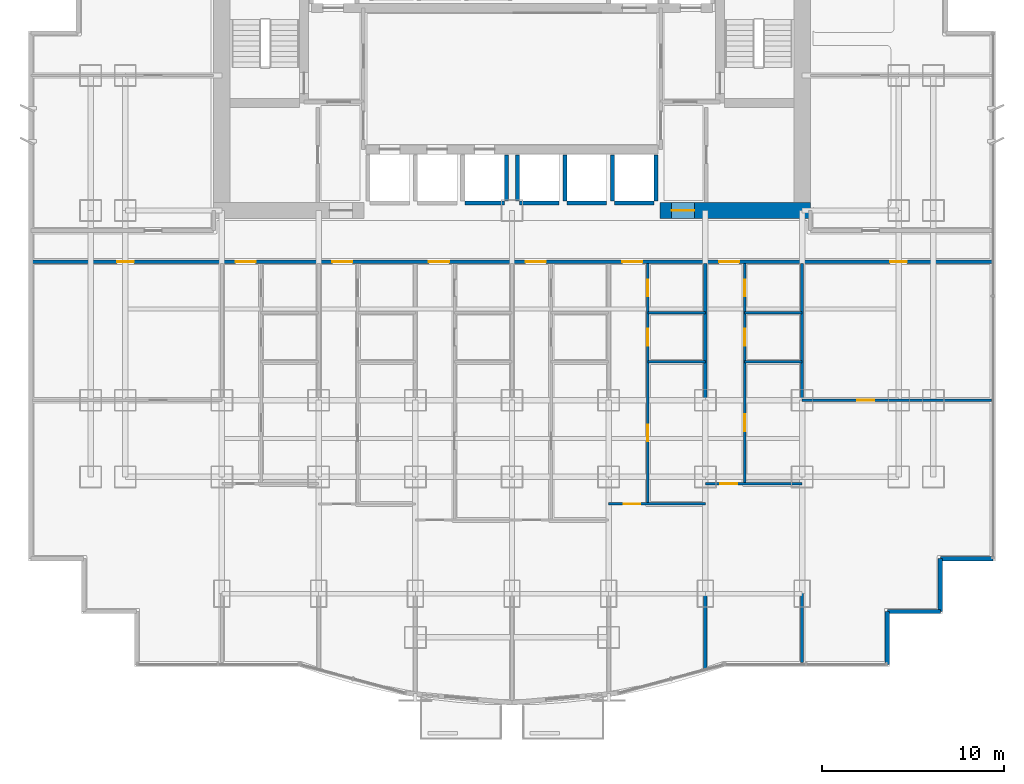
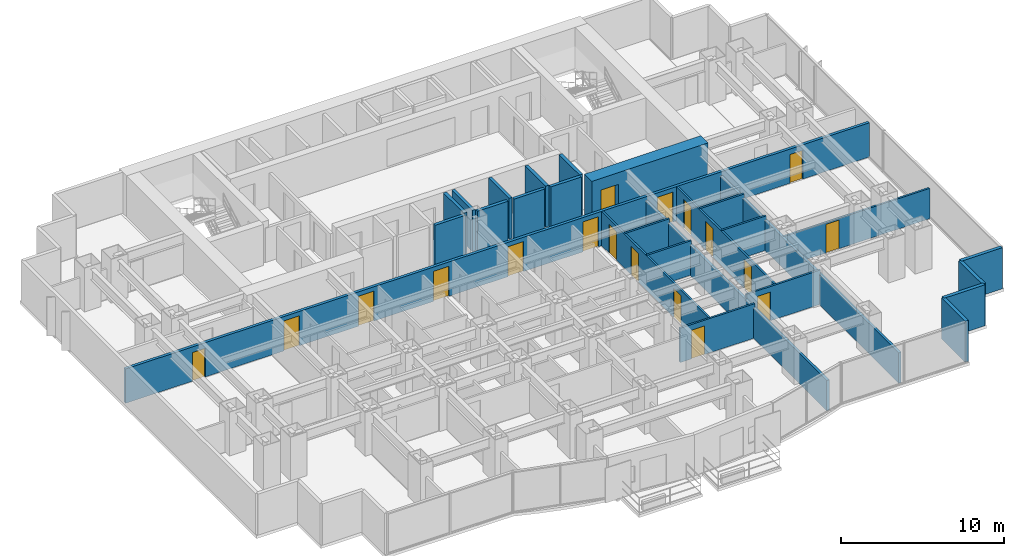
# One storey, part 8 of 12: 26 walls, 18 doors, 18 openings.
"""IFC4 building model written with IfcOpenShell, lengths in metres."""

from ifc_helpers import new_model, si_unit, direction, frame, frame_2d, origin, place, context, subcontext, project, spatial, rectangle, extrude, material, layer, layer_set, type_object, element, fill, save


model = new_model("IFC4")

# Units and contexts
model_context = context("Model", 3, precision=1e-05, world=origin(), true_north=direction((0.0, 1.0)))
body_context = subcontext(model_context, "Body", "Model", "MODEL_VIEW")
ifc_project = project(units=[si_unit("LENGTHUNIT", "METRE"), si_unit("AREAUNIT", "SQUARE_METRE"), si_unit("VOLUMEUNIT", "CUBIC_METRE"), si_unit("PLANEANGLEUNIT", "RADIAN"), si_unit("MASSUNIT", "GRAM", prefix="KILO")], contexts=[model_context])

# Site, building, storey
site_placement = place(None, origin())
site = spatial("IfcSite", under=ifc_project, at=site_placement, CompositionType="ELEMENT")
building_placement = place(site_placement, origin())
building = spatial("IfcBuilding", under=site, at=building_placement, Name="Qianlan Lanfeng Residences", CompositionType="ELEMENT")
storey_placement = place(building_placement, frame((0.0, 0.0, 27.5)))
storey = spatial("IfcBuildingStorey", under=building, at=storey_placement, Name="L06", CompositionType="ELEMENT", Elevation=27.5)

# Wall, opening, door
ifc_material_1 = material(Name="Concrete C70", Category="concrete")
ifc_layer_1 = layer(ifc_material_1, 0.89990234375)
ifc_layer_set_1 = layer_set([ifc_layer_1], Name="Concrete C70")
wall_type_1 = type_object("IfcWallType", Name="CW-RC-900", PredefinedType="SHEAR", material=ifc_layer_set_1)
wall_1_placement = place(storey_placement, frame((34.60009765625, 25.199951171875, 0.0), z_axis=(0.0, 0.0, 1.0), x_axis=(1.0, 0.0, 0.0)))
wall_1 = element("IfcWall", 1, at=wall_1_placement, inside=storey, type_object=wall_type_1, Name="L06 Core Shear Wall SE", PredefinedType="SHEAR", context=body_context, shape_type="SweptSolid", body=[
    extrude(rectangle(XDim=8.25, YDim=0.89990234375, at=frame_2d((4.125, 0.0))), origin(), (0.0, 0.0, 1.0), 3.080078125),
])
opening_1_placement = place(wall_1_placement, frame((0.64990234375, 0.0, 0.0)))
opening_1 = element("IfcOpeningElement", 2, at=opening_1_placement, cuts=wall_1, Name="Opening L06-D02", PredefinedType="OPENING", context=body_context, shape_type="SweptSolid", body=[
    extrude(rectangle(XDim=1.25, YDim=2.199951171875, at=frame_2d((0.625, 1.10009765625))), frame((0.0, 0.4599609375, 0.0), z_axis=(0.0, -1.0, 0.0), x_axis=(1.0, 0.0, 0.0)), (0.0, 0.0, 1.0), 0.919921875),
])
ifc_material_2 = material(Name="Painted Galvanised Steel Fire Door", Category="steel")
door_type_1 = type_object("IfcDoorType", Name="DT-FFL", OperationType="NOTDEFINED", PredefinedType="DOOR", material=ifc_material_2)
door_1_placement = place(opening_1_placement, frame((1.25, 0.0, 0.0), z_axis=(0.0, 0.0, 1.0), x_axis=(-1.0, 0.0, 0.0)))
door_1 = element("IfcDoor", 3, at=door_1_placement, inside=storey, type_object=door_type_1, Name="L06 East Core Lobby Smoke Door L06-D02 (DT-FFL)", OperationType="SINGLE_SWING_LEFT", OverallHeight=2.199951171875, OverallWidth=1.25, PredefinedType="DOOR", context=body_context, shape_type="SweptSolid", body=[
    extrude(rectangle(XDim=1.25, YDim=2.199951171875, at=frame_2d((0.625, 1.10009765625))), frame((0.0, 0.02490234375, 0.0), z_axis=(0.0, -1.0, 0.0), x_axis=(1.0, 0.0, 0.0)), (0.0, 0.0, 1.0), 0.050048828125),
])
fill(opening_1, door_1)

# Walls
ifc_material_3 = material(Name="Concrete C42", Category="concrete")
ifc_layer_2 = layer(ifc_material_3, 0.239990234375)
ifc_layer_set_2 = layer_set([ifc_layer_2], Name="Concrete C42")
wall_type_2 = type_object("IfcWallType", Name="EW-240", PredefinedType="SOLIDWALL", material=ifc_layer_set_2)
for number, where, z_axis, x_axis, name in (
    (4, (47.080078125, 0.320068359375, 0.0), (0.0, 0.0, 1.0), (0.0, 1.0, 0.0), "L06 Exterior Facade Spandrel Wall 7"),
    (5, (47.080078125, 3.219970703125, 0.0), (0.0, 0.0, 1.0), (1.0, 0.0, 0.0), "L06 Exterior Facade Spandrel Wall 8"),
):
    element("IfcWall", number, at=place(storey_placement, frame(where, z_axis=z_axis, x_axis=x_axis)), inside=storey, type_object=wall_type_2, Name=name, PredefinedType="SOLIDWALL", context=body_context, shape_type="SweptSolid", body=[
        extrude(rectangle(XDim=2.89990234375, YDim=0.239990234375, at=frame_2d((1.449951171875, 0.0))), origin(), (0.0, 0.0, 1.0), 3.080078125),
    ])
wall_2_placement = place(storey_placement, frame((49.97998046875, 3.219970703125, 0.0), z_axis=(0.0, 0.0, 1.0), x_axis=(0.0, 1.0, 0.0)))
element("IfcWall", 6, at=wall_2_placement, inside=storey, type_object=wall_type_2, Name="L06 Exterior Facade Spandrel Wall 9", PredefinedType="SOLIDWALL", context=body_context, shape_type="SweptSolid", body=[
    extrude(rectangle(XDim=2.900146484375, YDim=0.239990234375, at=frame_2d((1.4501953125, 0.0))), origin(), (0.0, 0.0, 1.0), 3.080078125),
])
wall_3_placement = place(storey_placement, frame((49.97998046875, 6.1201171875, 0.0), z_axis=(0.0, 0.0, 1.0), x_axis=(1.0, 0.0, 0.0)))
element("IfcWall", 7, at=wall_3_placement, inside=storey, type_object=wall_type_2, Name="L06 Exterior Facade Spandrel Wall 10", PredefinedType="SOLIDWALL", context=body_context, shape_type="SweptSolid", body=[
    extrude(rectangle(XDim=2.89990234375, YDim=0.239990234375, at=frame_2d((1.449951171875, 0.0))), origin(), (0.0, 0.0, 1.0), 3.080078125),
])

# Wall, opening, door
ifc_material_4 = material(Name="Moisture-Resistant Gypsum Partition 135 mm")
ifc_layer_3 = layer(ifc_material_4, 0.135009765625)
ifc_layer_set_3 = layer_set([ifc_layer_3], Name="Moisture-Resistant Gypsum Partition 135 mm")
wall_type_3 = type_object("IfcWallType", Name="PW-135", PredefinedType="PARTITIONING", material=ifc_layer_set_3)
wall_4_placement = place(storey_placement, frame((31.800048828125, 9.113037109375, 0.0), z_axis=(0.0, 0.0, 1.0), x_axis=(1.0, 0.0, 0.0)))
wall_4 = element("IfcWall", 8, at=wall_4_placement, inside=storey, type_object=wall_type_3, Name="L06 U05 Living Divider", PredefinedType="PARTITIONING", context=body_context, shape_type="SweptSolid", body=[
    extrude(rectangle(XDim=5.300048828125, YDim=0.135009765625, at=frame_2d((2.64990234375, 0.0))), origin(), (0.0, 0.0, 1.0), 2.570068359375),
])
opening_2_placement = place(wall_4_placement, frame((0.81494140625, 0.0, 0.0)))
opening_2 = element("IfcOpeningElement", 9, at=opening_2_placement, cuts=wall_4, Name="Opening L06-D34", PredefinedType="OPENING", context=body_context, shape_type="SweptSolid", body=[
    extrude(rectangle(XDim=0.919921875, YDim=2.14990234375, at=frame_2d((0.4599609375, 1.074951171875))), frame((0.0, 0.07763671875, 0.0), z_axis=(0.0, -1.0, 0.0), x_axis=(1.0, 0.0, 0.0)), (0.0, 0.0, 1.0), 0.155029296875),
])
ifc_material_5 = material(Name="Glazed Timber Kitchen/Study Door", Category="wood")
door_type_2 = type_object("IfcDoorType", Name="DT-INT", OperationType="NOTDEFINED", PredefinedType="DOOR", material=ifc_material_5)
door_2_placement = place(opening_2_placement, origin())
door_2 = element("IfcDoor", 10, at=door_2_placement, inside=storey, type_object=door_type_2, Name="L06 U05 Living Passage Door L06-D34 (DT-INT)", OperationType="SINGLE_SWING_LEFT", OverallHeight=2.14990234375, OverallWidth=0.919921875, PredefinedType="DOOR", context=body_context, shape_type="SweptSolid", body=[
    extrude(rectangle(XDim=0.919921875, YDim=2.14990234375, at=frame_2d((0.4599609375, 1.074951171875))), frame((0.0, 0.02490234375, 0.0), z_axis=(0.0, -1.0, 0.0), x_axis=(1.0, 0.0, 0.0)), (0.0, 0.0, 1.0), 0.050048828125),
])
fill(opening_2, door_2)

# Wall, openings, doors
wall_5_placement = place(storey_placement, frame((33.949951171875, 9.113037109375, 0.0), z_axis=(0.0, 0.0, 1.0), x_axis=(0.0, 1.0, 0.0)))
wall_5 = element("IfcWall", 11, at=wall_5_placement, inside=storey, type_object=wall_type_3, Name="L06 U05 Entry Hall Spine", PredefinedType="PARTITIONING", context=body_context, shape_type="SweptSolid", body=[
    extrude(rectangle(XDim=13.18701171875, YDim=0.135009765625, at=frame_2d((6.593505859375, 0.0))), origin(), (0.0, 0.0, 1.0), 2.570068359375),
])
opening_3_placement = place(wall_5_placement, frame((3.43310546875, 0.0, 0.0)))
opening_3 = element("IfcOpeningElement", 12, at=opening_3_placement, cuts=wall_5, Name="Opening L06-D35", PredefinedType="OPENING", context=body_context, shape_type="SweptSolid", body=[
    extrude(rectangle(XDim=0.919921875, YDim=2.14990234375, at=frame_2d((0.4599609375, 1.074951171875))), frame((0.0, 0.07763671875, 0.0), z_axis=(0.0, -1.0, 0.0), x_axis=(1.0, 0.0, 0.0)), (0.0, 0.0, 1.0), 0.155029296875),
])
opening_4_placement = place(wall_5_placement, frame((8.677001953125, 0.0, 0.0)))
opening_4 = element("IfcOpeningElement", 13, at=opening_4_placement, cuts=wall_5, Name="Opening L06-D36", PredefinedType="OPENING", context=body_context, shape_type="SweptSolid", body=[
    extrude(rectangle(XDim=0.919921875, YDim=2.14990234375, at=frame_2d((0.4599609375, 1.074951171875))), frame((0.0, 0.07763671875, 0.0), z_axis=(0.0, -1.0, 0.0), x_axis=(1.0, 0.0, 0.0)), (0.0, 0.0, 1.0), 0.155029296875),
])
opening_5_placement = place(wall_5_placement, frame((11.386962890625, 0.0, 0.0)))
opening_5 = element("IfcOpeningElement", 14, at=opening_5_placement, cuts=wall_5, Name="Opening L06-D37", PredefinedType="OPENING", context=body_context, shape_type="SweptSolid", body=[
    extrude(rectangle(XDim=0.89990234375, YDim=2.14990234375, at=frame_2d((0.449951171875, 1.074951171875))), frame((0.0, 0.07763671875, 0.0), z_axis=(0.0, -1.0, 0.0), x_axis=(1.0, 0.0, 0.0)), (0.0, 0.0, 1.0), 0.155029296875),
])
door_3_placement = place(opening_3_placement, origin())
door_3 = element("IfcDoor", 15, at=door_3_placement, inside=storey, type_object=door_type_2, Name="L06 U05 Study Door L06-D35 (DT-INT)", OperationType="SINGLE_SWING_RIGHT", OverallHeight=2.14990234375, OverallWidth=0.919921875, PredefinedType="DOOR", context=body_context, shape_type="SweptSolid", body=[
    extrude(rectangle(XDim=0.919921875, YDim=2.14990234375, at=frame_2d((0.4599609375, 1.074951171875))), frame((0.0, 0.02490234375, 0.0), z_axis=(0.0, -1.0, 0.0), x_axis=(1.0, 0.0, 0.0)), (0.0, 0.0, 1.0), 0.050048828125),
])
fill(opening_3, door_3)
door_4_placement = place(opening_4_placement, origin())
door_4 = element("IfcDoor", 16, at=door_4_placement, inside=storey, type_object=door_type_2, Name="L06 U05 Kitchen Door L06-D36 (DT-INT)", OperationType="SINGLE_SWING_LEFT", OverallHeight=2.14990234375, OverallWidth=0.919921875, PredefinedType="DOOR", context=body_context, shape_type="SweptSolid", body=[
    extrude(rectangle(XDim=0.919921875, YDim=2.14990234375, at=frame_2d((0.4599609375, 1.074951171875))), frame((0.0, 0.02490234375, 0.0), z_axis=(0.0, -1.0, 0.0), x_axis=(1.0, 0.0, 0.0)), (0.0, 0.0, 1.0), 0.050048828125),
])
fill(opening_4, door_4)
ifc_material_6 = material(Name="Moisture-Resistant Timber Leaf", Category="wood")
door_type_3 = type_object("IfcDoorType", Name="DT-WC", OperationType="NOTDEFINED", PredefinedType="DOOR", material=ifc_material_6)
door_5_placement = place(opening_5_placement, origin())
door_5 = element("IfcDoor", 17, at=door_5_placement, inside=storey, type_object=door_type_3, Name="L06 U05 Bathroom Door L06-D37 (DT-WC)", OperationType="SINGLE_SWING_RIGHT", OverallHeight=2.14990234375, OverallWidth=0.89990234375, PredefinedType="DOOR", context=body_context, shape_type="SweptSolid", body=[
    extrude(rectangle(XDim=0.89990234375, YDim=2.14990234375, at=frame_2d((0.449951171875, 1.074951171875))), frame((0.0, 0.02490234375, 0.0), z_axis=(0.0, -1.0, 0.0), x_axis=(1.0, 0.0, 0.0)), (0.0, 0.0, 1.0), 0.050048828125),
])
fill(opening_5, door_5)

# Walls
for number, where, z_axis, x_axis, name in (
    (18, (33.949951171875, 16.89990234375, 0.0), (0.0, 0.0, 1.0), (1.0, 0.0, 0.0), "L06 U05 Kitchen South Wall"),
    (19, (33.949951171875, 19.60009765625, 0.0), (0.0, 0.0, 1.0), (1.0, 0.0, 0.0), "L06 U05 Bathroom South Wall"),
):
    element("IfcWall", number, at=place(storey_placement, frame(where, z_axis=z_axis, x_axis=x_axis)), inside=storey, type_object=wall_type_3, Name=name, PredefinedType="PARTITIONING", context=body_context, shape_type="SweptSolid", body=[
        extrude(rectangle(XDim=3.150146484375, YDim=0.135009765625, at=frame_2d((1.5751953125, 0.0))), origin(), (0.0, 0.0, 1.0), 2.570068359375),
    ])

# Wall, opening, door
wall_6_placement = place(storey_placement, frame((37.10009765625, 10.219970703125, 0.0), z_axis=(0.0, 0.0, 1.0), x_axis=(1.0, 0.0, 0.0)))
wall_6 = element("IfcWall", 20, at=wall_6_placement, inside=storey, type_object=wall_type_3, Name="L06 U06 Living Divider", PredefinedType="PARTITIONING", context=body_context, shape_type="SweptSolid", body=[
    extrude(rectangle(XDim=5.2998046875, YDim=0.135009765625, at=frame_2d((2.64990234375, 0.0))), origin(), (0.0, 0.0, 1.0), 2.570068359375),
])
opening_6_placement = place(wall_6_placement, frame((0.81494140625, 0.0, 0.0)))
opening_6 = element("IfcOpeningElement", 21, at=opening_6_placement, cuts=wall_6, Name="Opening L06-D39", PredefinedType="OPENING", context=body_context, shape_type="SweptSolid", body=[
    extrude(rectangle(XDim=0.919921875, YDim=2.14990234375, at=frame_2d((0.4599609375, 1.074951171875))), frame((0.0, 0.07763671875, 0.0), z_axis=(0.0, -1.0, 0.0), x_axis=(1.0, 0.0, 0.0)), (0.0, 0.0, 1.0), 0.155029296875),
])
door_6_placement = place(opening_6_placement, frame((0.919921875, 0.0, 0.0), z_axis=(0.0, 0.0, 1.0), x_axis=(-1.0, 0.0, 0.0)))
door_6 = element("IfcDoor", 22, at=door_6_placement, inside=storey, type_object=door_type_2, Name="L06 U06 Living Passage Door L06-D39 (DT-INT)", OperationType="SINGLE_SWING_LEFT", OverallHeight=2.14990234375, OverallWidth=0.919921875, PredefinedType="DOOR", context=body_context, shape_type="SweptSolid", body=[
    extrude(rectangle(XDim=0.919921875, YDim=2.14990234375, at=frame_2d((0.4599609375, 1.074951171875))), frame((0.0, 0.02490234375, 0.0), z_axis=(0.0, -1.0, 0.0), x_axis=(1.0, 0.0, 0.0)), (0.0, 0.0, 1.0), 0.050048828125),
])
fill(opening_6, door_6)

# Wall, openings, doors
wall_7_placement = place(storey_placement, frame((39.25, 10.219970703125, 0.0), z_axis=(0.0, 0.0, 1.0), x_axis=(0.0, 1.0, 0.0)))
wall_7 = element("IfcWall", 23, at=wall_7_placement, inside=storey, type_object=wall_type_3, Name="L06 U06 Entry Hall Spine", PredefinedType="PARTITIONING", context=body_context, shape_type="SweptSolid", body=[
    extrude(rectangle(XDim=12.080078125, YDim=0.135009765625, at=frame_2d((6.0400390625, 0.0))), origin(), (0.0, 0.0, 1.0), 2.570068359375),
])
opening_7_placement = place(wall_7_placement, frame((2.8798828125, 0.0, 0.0)))
opening_7 = element("IfcOpeningElement", 24, at=opening_7_placement, cuts=wall_7, Name="Opening L06-D40", PredefinedType="OPENING", context=body_context, shape_type="SweptSolid", body=[
    extrude(rectangle(XDim=0.919921875, YDim=2.14990234375, at=frame_2d((0.4599609375, 1.074951171875))), frame((0.0, 0.07763671875, 0.0), z_axis=(0.0, -1.0, 0.0), x_axis=(1.0, 0.0, 0.0)), (0.0, 0.0, 1.0), 0.155029296875),
])
opening_8_placement = place(wall_7_placement, frame((7.570068359375, 0.0, 0.0)))
opening_8 = element("IfcOpeningElement", 25, at=opening_8_placement, cuts=wall_7, Name="Opening L06-D41", PredefinedType="OPENING", context=body_context, shape_type="SweptSolid", body=[
    extrude(rectangle(XDim=0.919921875, YDim=2.14990234375, at=frame_2d((0.4599609375, 1.074951171875))), frame((0.0, 0.07763671875, 0.0), z_axis=(0.0, -1.0, 0.0), x_axis=(1.0, 0.0, 0.0)), (0.0, 0.0, 1.0), 0.155029296875),
])
opening_9_placement = place(wall_7_placement, frame((10.280029296875, 0.0, 0.0)))
opening_9 = element("IfcOpeningElement", 26, at=opening_9_placement, cuts=wall_7, Name="Opening L06-D42", PredefinedType="OPENING", context=body_context, shape_type="SweptSolid", body=[
    extrude(rectangle(XDim=0.89990234375, YDim=2.14990234375, at=frame_2d((0.449951171875, 1.074951171875))), frame((0.0, 0.07763671875, 0.0), z_axis=(0.0, -1.0, 0.0), x_axis=(1.0, 0.0, 0.0)), (0.0, 0.0, 1.0), 0.155029296875),
])
door_7_placement = place(opening_7_placement, origin())
door_7 = element("IfcDoor", 27, at=door_7_placement, inside=storey, type_object=door_type_2, Name="L06 U06 Study Door L06-D40 (DT-INT)", OperationType="SINGLE_SWING_LEFT", OverallHeight=2.14990234375, OverallWidth=0.919921875, PredefinedType="DOOR", context=body_context, shape_type="SweptSolid", body=[
    extrude(rectangle(XDim=0.919921875, YDim=2.14990234375, at=frame_2d((0.4599609375, 1.074951171875))), frame((0.0, 0.02490234375, 0.0), z_axis=(0.0, -1.0, 0.0), x_axis=(1.0, 0.0, 0.0)), (0.0, 0.0, 1.0), 0.050048828125),
])
fill(opening_7, door_7)
door_8_placement = place(opening_8_placement, origin())
door_8 = element("IfcDoor", 28, at=door_8_placement, inside=storey, type_object=door_type_2, Name="L06 U06 Kitchen Door L06-D41 (DT-INT)", OperationType="SINGLE_SWING_RIGHT", OverallHeight=2.14990234375, OverallWidth=0.919921875, PredefinedType="DOOR", context=body_context, shape_type="SweptSolid", body=[
    extrude(rectangle(XDim=0.919921875, YDim=2.14990234375, at=frame_2d((0.4599609375, 1.074951171875))), frame((0.0, 0.02490234375, 0.0), z_axis=(0.0, -1.0, 0.0), x_axis=(1.0, 0.0, 0.0)), (0.0, 0.0, 1.0), 0.050048828125),
])
fill(opening_8, door_8)
door_9_placement = place(opening_9_placement, origin())
door_9 = element("IfcDoor", 29, at=door_9_placement, inside=storey, type_object=door_type_3, Name="L06 U06 Bathroom Door L06-D42 (DT-WC)", OperationType="SINGLE_SWING_LEFT", OverallHeight=2.14990234375, OverallWidth=0.89990234375, PredefinedType="DOOR", context=body_context, shape_type="SweptSolid", body=[
    extrude(rectangle(XDim=0.89990234375, YDim=2.14990234375, at=frame_2d((0.449951171875, 1.074951171875))), frame((0.0, 0.02490234375, 0.0), z_axis=(0.0, -1.0, 0.0), x_axis=(1.0, 0.0, 0.0)), (0.0, 0.0, 1.0), 0.050048828125),
])
fill(opening_9, door_9)

# Walls
for number, where, z_axis, x_axis, name in (
    (30, (39.25, 16.89990234375, 0.0), (0.0, 0.0, 1.0), (1.0, 0.0, 0.0), "L06 U06 Kitchen South Wall"),
    (31, (39.25, 19.60009765625, 0.0), (0.0, 0.0, 1.0), (1.0, 0.0, 0.0), "L06 U06 Bathroom South Wall"),
):
    element("IfcWall", number, at=place(storey_placement, frame(where, z_axis=z_axis, x_axis=x_axis)), inside=storey, type_object=wall_type_3, Name=name, PredefinedType="PARTITIONING", context=body_context, shape_type="SweptSolid", body=[
        extrude(rectangle(XDim=3.14990234375, YDim=0.135009765625, at=frame_2d((1.574951171875, 0.0))), origin(), (0.0, 0.0, 1.0), 2.570068359375),
    ])

# Wall, opening, door
wall_8_placement = place(storey_placement, frame((42.39990234375, 14.800048828125, 0.0), z_axis=(0.0, 0.0, 1.0), x_axis=(1.0, 0.0, 0.0)))
wall_8 = element("IfcWall", 32, at=wall_8_placement, inside=storey, type_object=wall_type_3, Name="L06 SEP Mid Partition", PredefinedType="PARTITIONING", context=body_context, shape_type="SweptSolid", body=[
    extrude(rectangle(XDim=10.380126953125, YDim=0.135009765625, at=frame_2d((5.18994140625, 0.0))), origin(), (0.0, 0.0, 1.0), 2.27490234375),
])
opening_10_placement = place(wall_8_placement, frame((3.030029296875, 0.0, 0.0)))
opening_10 = element("IfcOpeningElement", 33, at=opening_10_placement, cuts=wall_8, Name="Opening L06-D45", PredefinedType="OPENING", context=body_context, shape_type="SweptSolid", body=[
    extrude(rectangle(XDim=0.919921875, YDim=2.14990234375, at=frame_2d((0.4599609375, 1.074951171875))), frame((0.0, 0.07763671875, 0.0), z_axis=(0.0, -1.0, 0.0), x_axis=(1.0, 0.0, 0.0)), (0.0, 0.0, 1.0), 0.155029296875),
])
door_10_placement = place(opening_10_placement, origin())
door_10 = element("IfcDoor", 34, at=door_10_placement, inside=storey, type_object=door_type_2, Name="L06 SEP Inner Door L06-D45 (DT-INT)", OperationType="SINGLE_SWING_RIGHT", OverallHeight=2.14990234375, OverallWidth=0.919921875, PredefinedType="DOOR", context=body_context, shape_type="SweptSolid", body=[
    extrude(rectangle(XDim=0.919921875, YDim=2.14990234375, at=frame_2d((0.4599609375, 1.074951171875))), frame((0.0, 0.02490234375, 0.0), z_axis=(0.0, -1.0, 0.0), x_axis=(1.0, 0.0, 0.0)), (0.0, 0.0, 1.0), 0.050048828125),
])
fill(opening_10, door_10)

# Walls
ifc_material_7 = material(Name="Double-Layer Acoustic Gypsum Stud Wall 180 mm")
ifc_layer_4 = layer(ifc_material_7, 0.179931640625)
ifc_layer_set_4 = layer_set([ifc_layer_4], Name="Double-Layer Acoustic Gypsum Stud Wall 180 mm")
wall_type_4 = type_object("IfcWallType", Name="PW-180", PredefinedType="PARTITIONING", material=ifc_layer_set_4)
wall_9_placement = place(storey_placement, frame((42.39990234375, 0.419921875, 0.0), z_axis=(0.0, 0.0, 1.0), x_axis=(0.0, 1.0, 0.0)))
element("IfcWall", 35, at=wall_9_placement, inside=storey, type_object=wall_type_4, Name="L06 Wing Boundary Party Wall E0", PredefinedType="PARTITIONING", context=body_context, shape_type="SweptSolid", body=[
    extrude(rectangle(XDim=21.880126953125, YDim=0.179931640625, at=frame_2d((10.93994140625, 0.0))), origin(), (0.0, 0.0, 1.0), 2.27490234375),
])
wall_10_placement = place(storey_placement, frame((37.10009765625, 0.076904296875, 0.0), z_axis=(0.0, 0.0, 1.0), x_axis=(0.0, 1.0, 0.0)))
element("IfcWall", 36, at=wall_10_placement, inside=storey, type_object=wall_type_4, Name="L06 Inter-Tenancy Party Wall 6", PredefinedType="PARTITIONING", context=body_context, shape_type="SweptSolid", body=[
    extrude(rectangle(XDim=22.22314453125, YDim=0.179931640625, at=frame_2d((11.111572265625, 0.0))), origin(), (0.0, 0.0, 1.0), 2.27490234375),
])

# Wall, openings, doors
ifc_material_8 = material(Name="Autoclaved Aerated Concrete Blockwork 200 mm", Category="masonry")
ifc_layer_5 = layer(ifc_material_8, 0.199951171875)
ifc_layer_set_5 = layer_set([ifc_layer_5], Name="Autoclaved Aerated Concrete Blockwork 200 mm")
wall_type_5 = type_object("IfcWallType", Name="PW-200", PredefinedType="PARTITIONING", material=ifc_layer_set_5)
wall_11_placement = place(storey_placement, frame((0.1201171875, 22.39990234375, 0.0), z_axis=(0.0, 0.0, 1.0), x_axis=(1.0, 0.0, 0.0)))
wall_11 = element("IfcWall", 37, at=wall_11_placement, inside=storey, type_object=wall_type_5, Name="L06 Residential Corridor South Fire Wall", PredefinedType="PARTITIONING", context=body_context, shape_type="SweptSolid", body=[
    extrude(rectangle(XDim=52.759765625, YDim=0.199951171875, at=frame_2d((26.3798828125, 0.0))), origin(), (0.0, 0.0, 1.0), 2.570068359375),
])
opening_11_placement = place(wall_11_placement, frame((11.22998046875, 0.0, 0.0)))
opening_11 = element("IfcOpeningElement", 38, at=opening_11_placement, cuts=wall_11, Name="Opening L06-D13", PredefinedType="OPENING", context=body_context, shape_type="SweptSolid", body=[
    extrude(rectangle(XDim=1.10009765625, YDim=2.25, at=frame_2d((0.550048828125, 1.125))), frame((0.0, 0.10986328125, 0.0), z_axis=(0.0, -1.0, 0.0), x_axis=(1.0, 0.0, 0.0)), (0.0, 0.0, 1.0), 0.219970703125),
])
opening_12_placement = place(wall_11_placement, frame((16.530029296875, 0.0, 0.0)))
opening_12 = element("IfcOpeningElement", 39, at=opening_12_placement, cuts=wall_11, Name="Opening L06-D18", PredefinedType="OPENING", context=body_context, shape_type="SweptSolid", body=[
    extrude(rectangle(XDim=1.10009765625, YDim=2.25, at=frame_2d((0.550048828125, 1.125))), frame((0.0, 0.10986328125, 0.0), z_axis=(0.0, -1.0, 0.0), x_axis=(1.0, 0.0, 0.0)), (0.0, 0.0, 1.0), 0.219970703125),
])
opening_13_placement = place(wall_11_placement, frame((21.830078125, 0.0, 0.0)))
opening_13 = element("IfcOpeningElement", 40, at=opening_13_placement, cuts=wall_11, Name="Opening L06-D23", PredefinedType="OPENING", context=body_context, shape_type="SweptSolid", body=[
    extrude(rectangle(XDim=1.10009765625, YDim=2.25, at=frame_2d((0.550048828125, 1.125))), frame((0.0, 0.10986328125, 0.0), z_axis=(0.0, -1.0, 0.0), x_axis=(1.0, 0.0, 0.0)), (0.0, 0.0, 1.0), 0.219970703125),
])
opening_14_placement = place(wall_11_placement, frame((27.1298828125, 0.0, 0.0)))
opening_14 = element("IfcOpeningElement", 41, at=opening_14_placement, cuts=wall_11, Name="Opening L06-D28", PredefinedType="OPENING", context=body_context, shape_type="SweptSolid", body=[
    extrude(rectangle(XDim=1.10009765625, YDim=2.25, at=frame_2d((0.550048828125, 1.125))), frame((0.0, 0.10986328125, 0.0), z_axis=(0.0, -1.0, 0.0), x_axis=(1.0, 0.0, 0.0)), (0.0, 0.0, 1.0), 0.219970703125),
])
opening_15_placement = place(wall_11_placement, frame((32.429931640625, 0.0, 0.0)))
opening_15 = element("IfcOpeningElement", 42, at=opening_15_placement, cuts=wall_11, Name="Opening L06-D33", PredefinedType="OPENING", context=body_context, shape_type="SweptSolid", body=[
    extrude(rectangle(XDim=1.10009765625, YDim=2.25, at=frame_2d((0.550048828125, 1.125))), frame((0.0, 0.10986328125, 0.0), z_axis=(0.0, -1.0, 0.0), x_axis=(1.0, 0.0, 0.0)), (0.0, 0.0, 1.0), 0.219970703125),
])
opening_16_placement = place(wall_11_placement, frame((37.72998046875, 0.0, 0.0)))
opening_16 = element("IfcOpeningElement", 43, at=opening_16_placement, cuts=wall_11, Name="Opening L06-D38", PredefinedType="OPENING", context=body_context, shape_type="SweptSolid", body=[
    extrude(rectangle(XDim=1.10009765625, YDim=2.25, at=frame_2d((0.550048828125, 1.125))), frame((0.0, 0.10986328125, 0.0), z_axis=(0.0, -1.0, 0.0), x_axis=(1.0, 0.0, 0.0)), (0.0, 0.0, 1.0), 0.219970703125),
])
opening_17_placement = place(wall_11_placement, frame((4.735107421875, 0.0, 0.0)))
opening_17 = element("IfcOpeningElement", 44, at=opening_17_placement, cuts=wall_11, Name="Opening L06-D44", PredefinedType="OPENING", context=body_context, shape_type="SweptSolid", body=[
    extrude(rectangle(XDim=0.919921875, YDim=2.14990234375, at=frame_2d((0.4599609375, 1.074951171875))), frame((0.0, 0.10986328125, 0.0), z_axis=(0.0, -1.0, 0.0), x_axis=(1.0, 0.0, 0.0)), (0.0, 0.0, 1.0), 0.219970703125),
])
opening_18_placement = place(wall_11_placement, frame((47.10498046875, 0.0, 0.0)))
opening_18 = element("IfcOpeningElement", 45, at=opening_18_placement, cuts=wall_11, Name="Opening L06-D46", PredefinedType="OPENING", context=body_context, shape_type="SweptSolid", body=[
    extrude(rectangle(XDim=0.919921875, YDim=2.14990234375, at=frame_2d((0.4599609375, 1.074951171875))), frame((0.0, 0.10986328125, 0.0), z_axis=(0.0, -1.0, 0.0), x_axis=(1.0, 0.0, 0.0)), (0.0, 0.0, 1.0), 0.219970703125),
])
door_11_placement = place(opening_17_placement, origin())
door_11 = element("IfcDoor", 46, at=door_11_placement, inside=storey, type_object=door_type_2, Name="L06 SWP Corridor Door L06-D44 (DT-INT)", OperationType="SINGLE_SWING_LEFT", OverallHeight=2.14990234375, OverallWidth=0.919921875, PredefinedType="DOOR", context=body_context, shape_type="SweptSolid", body=[
    extrude(rectangle(XDim=0.919921875, YDim=2.14990234375, at=frame_2d((0.4599609375, 1.074951171875))), frame((0.0, 0.02490234375, 0.0), z_axis=(0.0, -1.0, 0.0), x_axis=(1.0, 0.0, 0.0)), (0.0, 0.0, 1.0), 0.050048828125),
])
fill(opening_17, door_11)
door_12_placement = place(opening_18_placement, origin())
door_12 = element("IfcDoor", 47, at=door_12_placement, inside=storey, type_object=door_type_2, Name="L06 SEP Corridor Door L06-D46 (DT-INT)", OperationType="SINGLE_SWING_LEFT", OverallHeight=2.14990234375, OverallWidth=0.919921875, PredefinedType="DOOR", context=body_context, shape_type="SweptSolid", body=[
    extrude(rectangle(XDim=0.919921875, YDim=2.14990234375, at=frame_2d((0.4599609375, 1.074951171875))), frame((0.0, 0.02490234375, 0.0), z_axis=(0.0, -1.0, 0.0), x_axis=(1.0, 0.0, 0.0)), (0.0, 0.0, 1.0), 0.050048828125),
])
fill(opening_18, door_12)
ifc_material_9 = material(Name="Solid-Core Oak Veneer Fire Door")
door_type_4 = type_object("IfcDoorType", Name="DT-UNIT", OperationType="NOTDEFINED", PredefinedType="DOOR", material=ifc_material_9)
door_13_placement = place(opening_11_placement, origin())
door_13 = element("IfcDoor", 48, at=door_13_placement, inside=storey, type_object=door_type_4, Name="L06 Apartment U01 Entrance Door L06-D13 (DT-UNIT)", OperationType="SINGLE_SWING_RIGHT", OverallHeight=2.25, OverallWidth=1.10009765625, PredefinedType="DOOR", context=body_context, shape_type="SweptSolid", body=[
    extrude(rectangle(XDim=1.10009765625, YDim=2.25, at=frame_2d((0.550048828125, 1.125))), frame((0.0, 0.02490234375, 0.0), z_axis=(0.0, -1.0, 0.0), x_axis=(1.0, 0.0, 0.0)), (0.0, 0.0, 1.0), 0.050048828125),
])
fill(opening_11, door_13)
door_14_placement = place(opening_12_placement, origin())
door_14 = element("IfcDoor", 49, at=door_14_placement, inside=storey, type_object=door_type_4, Name="L06 Apartment U02 Entrance Door L06-D18 (DT-UNIT)", OperationType="SINGLE_SWING_RIGHT", OverallHeight=2.25, OverallWidth=1.10009765625, PredefinedType="DOOR", context=body_context, shape_type="SweptSolid", body=[
    extrude(rectangle(XDim=1.10009765625, YDim=2.25, at=frame_2d((0.550048828125, 1.125))), frame((0.0, 0.02490234375, 0.0), z_axis=(0.0, -1.0, 0.0), x_axis=(1.0, 0.0, 0.0)), (0.0, 0.0, 1.0), 0.050048828125),
])
fill(opening_12, door_14)
door_15_placement = place(opening_13_placement, origin())
door_15 = element("IfcDoor", 50, at=door_15_placement, inside=storey, type_object=door_type_4, Name="L06 Apartment U03 Entrance Door L06-D23 (DT-UNIT)", OperationType="SINGLE_SWING_RIGHT", OverallHeight=2.25, OverallWidth=1.10009765625, PredefinedType="DOOR", context=body_context, shape_type="SweptSolid", body=[
    extrude(rectangle(XDim=1.10009765625, YDim=2.25, at=frame_2d((0.550048828125, 1.125))), frame((0.0, 0.02490234375, 0.0), z_axis=(0.0, -1.0, 0.0), x_axis=(1.0, 0.0, 0.0)), (0.0, 0.0, 1.0), 0.050048828125),
])
fill(opening_13, door_15)
door_16_placement = place(opening_14_placement, origin())
door_16 = element("IfcDoor", 51, at=door_16_placement, inside=storey, type_object=door_type_4, Name="L06 Apartment U04 Entrance Door L06-D28 (DT-UNIT)", OperationType="SINGLE_SWING_RIGHT", OverallHeight=2.25, OverallWidth=1.10009765625, PredefinedType="DOOR", context=body_context, shape_type="SweptSolid", body=[
    extrude(rectangle(XDim=1.10009765625, YDim=2.25, at=frame_2d((0.550048828125, 1.125))), frame((0.0, 0.02490234375, 0.0), z_axis=(0.0, -1.0, 0.0), x_axis=(1.0, 0.0, 0.0)), (0.0, 0.0, 1.0), 0.050048828125),
])
fill(opening_14, door_16)
door_17_placement = place(opening_15_placement, origin())
door_17 = element("IfcDoor", 52, at=door_17_placement, inside=storey, type_object=door_type_4, Name="L06 Apartment U05 Entrance Door L06-D33 (DT-UNIT)", OperationType="SINGLE_SWING_RIGHT", OverallHeight=2.25, OverallWidth=1.10009765625, PredefinedType="DOOR", context=body_context, shape_type="SweptSolid", body=[
    extrude(rectangle(XDim=1.10009765625, YDim=2.25, at=frame_2d((0.550048828125, 1.125))), frame((0.0, 0.02490234375, 0.0), z_axis=(0.0, -1.0, 0.0), x_axis=(1.0, 0.0, 0.0)), (0.0, 0.0, 1.0), 0.050048828125),
])
fill(opening_15, door_17)
door_18_placement = place(opening_16_placement, origin())
door_18 = element("IfcDoor", 53, at=door_18_placement, inside=storey, type_object=door_type_4, Name="L06 Apartment U06 Entrance Door L06-D38 (DT-UNIT)", OperationType="SINGLE_SWING_RIGHT", OverallHeight=2.25, OverallWidth=1.10009765625, PredefinedType="DOOR", context=body_context, shape_type="SweptSolid", body=[
    extrude(rectangle(XDim=1.10009765625, YDim=2.25, at=frame_2d((0.550048828125, 1.125))), frame((0.0, 0.02490234375, 0.0), z_axis=(0.0, -1.0, 0.0), x_axis=(1.0, 0.0, 0.0)), (0.0, 0.0, 1.0), 0.050048828125),
])
fill(opening_16, door_18)

# Walls
ifc_material_10 = material(Name="Concrete C49", Category="concrete")
ifc_layer_6 = layer(ifc_material_10, 0.219970703125)
ifc_layer_set_6 = layer_set([ifc_layer_6], Name="Concrete C49")
wall_type_6 = type_object("IfcWallType", Name="SHW-220", PredefinedType="SOLIDWALL", material=ifc_layer_set_6)
wall_12_placement = place(storey_placement, frame((26.199951171875, 25.719970703125, 0.0), z_axis=(0.0, 0.0, 1.0), x_axis=(0.0, 1.0, 0.0)))
element("IfcWall", 54, at=wall_12_placement, inside=storey, type_object=wall_type_6, Name="L06 Lift PL-L3 Shaft Wall E", PredefinedType="SOLIDWALL", context=body_context, shape_type="SweptSolid", body=[
    extrude(rectangle(XDim=2.530029296875, YDim=0.219970703125, at=frame_2d((1.26513671875, 0.0))), origin(), (0.0, 0.0, 1.0), 3.080078125),
])
wall_13_placement = place(storey_placement, frame((23.919921875, 25.60009765625, 0.0), z_axis=(0.0, 0.0, 1.0), x_axis=(1.0, 0.0, 0.0)))
element("IfcWall", 55, at=wall_13_placement, inside=storey, type_object=wall_type_6, Name="L06 Lift PL-L3 Shaft Back Wall S", PredefinedType="SOLIDWALL", context=body_context, shape_type="SweptSolid", body=[
    extrude(rectangle(XDim=2.16015625, YDim=0.219970703125, at=frame_2d((1.080078125, 0.0))), origin(), (0.0, 0.0, 1.0), 3.080078125),
])
wall_14_placement = place(storey_placement, frame((26.800048828125, 25.719970703125, 0.0), z_axis=(0.0, 0.0, 1.0), x_axis=(0.0, 1.0, 0.0)))
element("IfcWall", 56, at=wall_14_placement, inside=storey, type_object=wall_type_6, Name="L06 Lift PL-M1 Shaft Wall W", PredefinedType="SOLIDWALL", context=body_context, shape_type="SweptSolid", body=[
    extrude(rectangle(XDim=2.530029296875, YDim=0.219970703125, at=frame_2d((1.26513671875, 0.0))), origin(), (0.0, 0.0, 1.0), 3.080078125),
])
wall_15_placement = place(storey_placement, frame((26.919921875, 25.60009765625, 0.0), z_axis=(0.0, 0.0, 1.0), x_axis=(1.0, 0.0, 0.0)))
element("IfcWall", 57, at=wall_15_placement, inside=storey, type_object=wall_type_6, Name="L06 Lift PL-M1 Shaft Back Wall S", PredefinedType="SOLIDWALL", context=body_context, shape_type="SweptSolid", body=[
    extrude(rectangle(XDim=2.16015625, YDim=0.219970703125, at=frame_2d((1.080078125, 0.0))), origin(), (0.0, 0.0, 1.0), 3.080078125),
])
wall_16_placement = place(storey_placement, frame((29.39990234375, 25.719970703125, 0.0), z_axis=(0.0, 0.0, 1.0), x_axis=(0.0, 1.0, 0.0)))
element("IfcWall", 58, at=wall_16_placement, inside=storey, type_object=wall_type_6, Name="L06 Lift PL-M2 Shaft Wall W", PredefinedType="SOLIDWALL", context=body_context, shape_type="SweptSolid", body=[
    extrude(rectangle(XDim=2.530029296875, YDim=0.219970703125, at=frame_2d((1.26513671875, 0.0))), origin(), (0.0, 0.0, 1.0), 3.080078125),
])
wall_17_placement = place(storey_placement, frame((29.52001953125, 25.60009765625, 0.0), z_axis=(0.0, 0.0, 1.0), x_axis=(1.0, 0.0, 0.0)))
element("IfcWall", 59, at=wall_17_placement, inside=storey, type_object=wall_type_6, Name="L06 Lift PL-M2 Shaft Back Wall S", PredefinedType="SOLIDWALL", context=body_context, shape_type="SweptSolid", body=[
    extrude(rectangle(XDim=2.159912109375, YDim=0.219970703125, at=frame_2d((1.080078125, 0.0))), origin(), (0.0, 0.0, 1.0), 3.080078125),
])
for number, where, z_axis, x_axis, name in (
    (60, (32.0, 25.719970703125, 0.0), (0.0, 0.0, 1.0), (0.0, 1.0, 0.0), "L06 Lift PL-M3 Shaft Wall W"),
    (61, (34.39990234375, 25.719970703125, 0.0), (0.0, 0.0, 1.0), (0.0, 1.0, 0.0), "L06 Lift PL-M3 Shaft Wall E"),
):
    element("IfcWall", number, at=place(storey_placement, frame(where, z_axis=z_axis, x_axis=x_axis)), inside=storey, type_object=wall_type_6, Name=name, PredefinedType="SOLIDWALL", context=body_context, shape_type="SweptSolid", body=[
        extrude(rectangle(XDim=2.530029296875, YDim=0.219970703125, at=frame_2d((1.26513671875, 0.0))), origin(), (0.0, 0.0, 1.0), 3.080078125),
    ])
wall_18_placement = place(storey_placement, frame((32.1201171875, 25.60009765625, 0.0), z_axis=(0.0, 0.0, 1.0), x_axis=(1.0, 0.0, 0.0)))
element("IfcWall", 62, at=wall_18_placement, inside=storey, type_object=wall_type_6, Name="L06 Lift PL-M3 Shaft Back Wall S", PredefinedType="SOLIDWALL", context=body_context, shape_type="SweptSolid", body=[
    extrude(rectangle(XDim=2.159912109375, YDim=0.219970703125, at=frame_2d((1.080078125, 0.0))), origin(), (0.0, 0.0, 1.0), 3.080078125),
])

save(model, "model.ifc")
